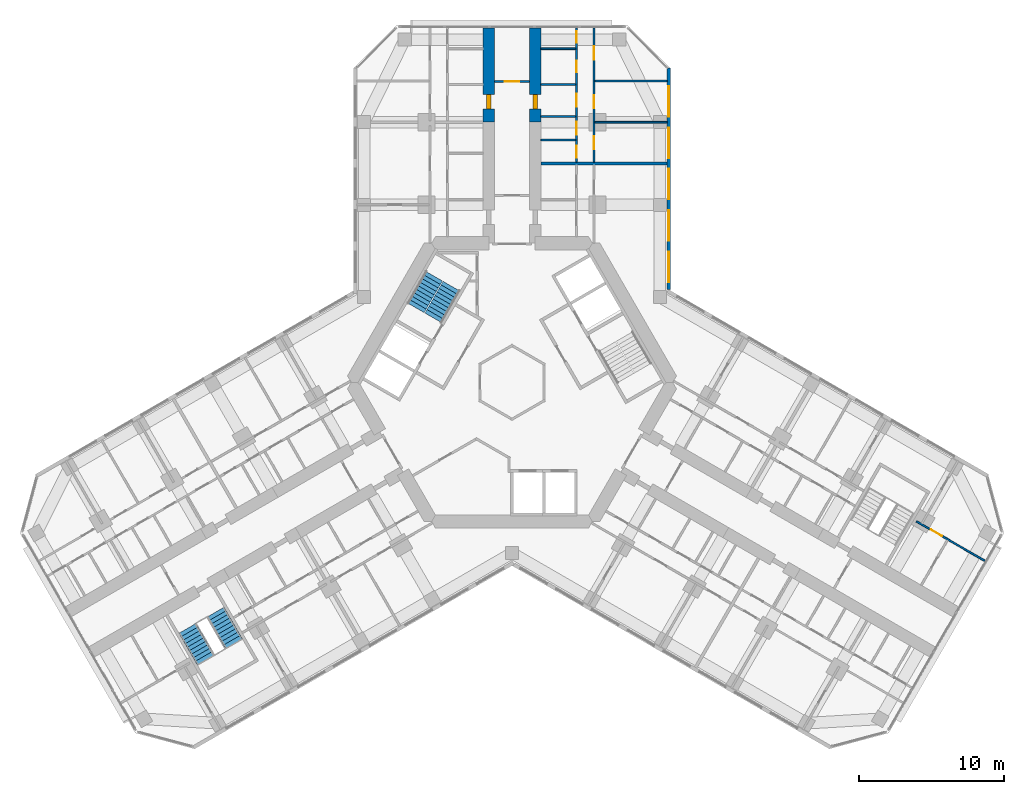
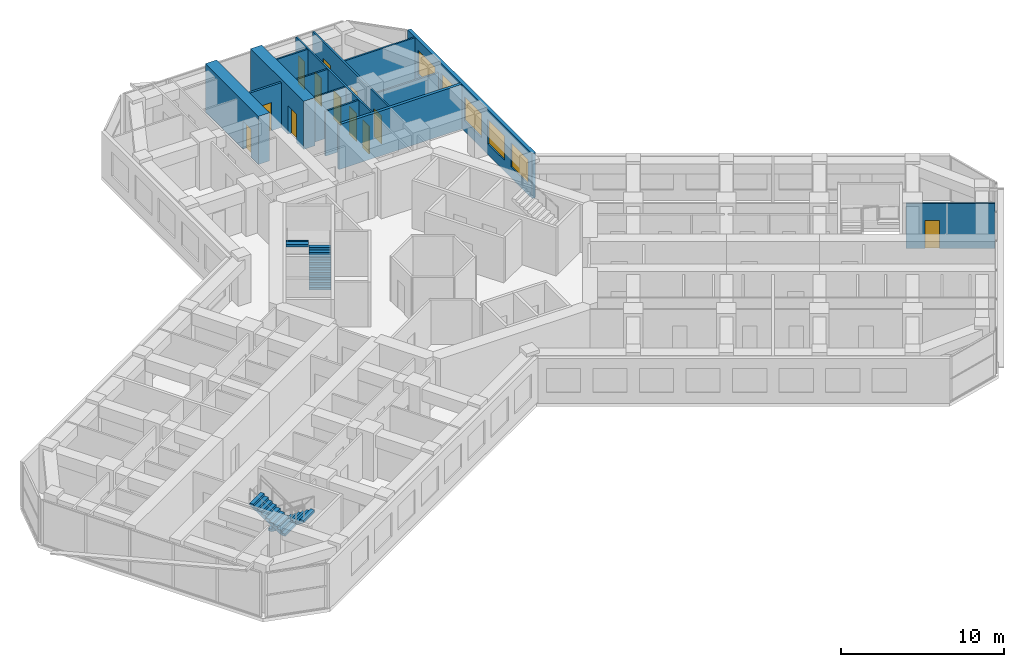
# One storey, part 18 of 20: 14 walls, 12 doors, 5 windows, 4 stair flights, 17 openings, 2 elements without a shape of their own.
"""IFC4 building model written with IfcOpenShell, lengths in metres."""

from ifc_helpers import new_model, si_unit, direction, frame, frame_2d, origin, place, context, subcontext, project, spatial, polyline, rectangle, outline, extrude, material, layer, layer_set, type_object, element, fill, aggregate, save


model = new_model("IFC4")

# Units and contexts
model_context = context("Model", 3, precision=1e-05, world=origin(), true_north=direction((0.0, 1.0)))
body_context = subcontext(model_context, "Body", "Model", "MODEL_VIEW")
ifc_project = project(units=[si_unit("LENGTHUNIT", "METRE"), si_unit("AREAUNIT", "SQUARE_METRE"), si_unit("VOLUMEUNIT", "CUBIC_METRE"), si_unit("PLANEANGLEUNIT", "RADIAN"), si_unit("MASSUNIT", "GRAM", prefix="KILO")], contexts=[model_context])

# Site, building, storey
site_placement = place(None, origin())
site = spatial("IfcSite", under=ifc_project, at=site_placement, CompositionType="ELEMENT")
building_placement = place(site_placement, origin())
building = spatial("IfcBuilding", under=site, at=building_placement, Name="Kosmar Iwan School Tower", CompositionType="ELEMENT")
storey_placement = place(building_placement, frame((0.0, 0.0, 131.0)))
storey = spatial("IfcBuildingStorey", under=building, at=storey_placement, Name="L32", CompositionType="ELEMENT", Elevation=131.0)

# Wall, opening, door
ifc_material_1 = material(Name="Concrete C50/60", Category="concrete")
ifc_layer_1 = layer(ifc_material_1, 0.800048828125)
ifc_layer_set_1 = layer_set([ifc_layer_1], Name="Corridor buttress wall 800")
wall_type_1 = type_object("IfcWallType", Name="Corridor buttress wall 800", PredefinedType="SHEAR", material=ifc_layer_set_1)
wall_1_placement = place(storey_placement, frame((-1.60009765625, 17.949951171875, 0.0), z_axis=(0.0, 0.0, 1.0), x_axis=(0.0, 1.0, 0.0)))
wall_1 = element("IfcWall", 1, at=wall_1_placement, inside=storey, type_object=wall_type_1, Name="Corridor wall AL bay 2", PredefinedType="SHEAR", context=body_context, shape_type="SweptSolid", body=[
    extrude(rectangle(XDim=6.4951171875, YDim=0.800048828125, at=frame_2d((3.24755859375, 0.0))), origin(), (0.0, 0.0, 1.0), 3.60009765625),
])
opening_1_placement = place(wall_1_placement, frame((0.89990234375, 0.0, 0.0)))
opening_1 = element("IfcOpeningElement", 2, at=opening_1_placement, cuts=wall_1, Name="Opening D1", PredefinedType="OPENING", context=body_context, shape_type="SweptSolid", body=[
    extrude(rectangle(XDim=1.0, YDim=2.10009765625, at=frame_2d((0.5, 1.050048828125))), frame((0.0, 0.412109375, 0.0), z_axis=(0.0, -1.0, 0.0), x_axis=(1.0, 0.0, 0.0)), (0.0, 0.0, 1.0), 0.823974609375),
])
ifc_material_2 = material(Name="Timber fire door in steel frame", Category="steel")
door_type_1 = type_object("IfcDoorType", Name="Flat entrance door 1000x2100", OperationType="SINGLE_SWING_LEFT", PredefinedType="DOOR", material=ifc_material_2)
door_1_placement = place(opening_1_placement, origin())
door_1 = element("IfcDoor", 3, at=door_1_placement, inside=storey, type_object=door_type_1, Name="Flat L32-AL2 entrance door", OperationType="SINGLE_SWING_RIGHT", OverallHeight=2.10009765625, OverallWidth=1.0, PredefinedType="DOOR", context=body_context, shape_type="SweptSolid", body=[
    extrude(rectangle(XDim=1.0, YDim=2.10009765625, at=frame_2d((0.5, 1.050048828125))), frame((0.0, 0.14990234375, 0.0), z_axis=(0.0, -1.0, 0.0), x_axis=(1.0, 0.0, 0.0)), (0.0, 0.0, 1.0), 0.300048828125),
])
fill(opening_1, door_1)

wall_2_placement = place(storey_placement, frame((1.60009765625, 17.949951171875, 0.0), z_axis=(0.0, 0.0, 1.0), x_axis=(0.0, 1.0, 0.0)))
wall_2 = element("IfcWall", 4, at=wall_2_placement, inside=storey, type_object=wall_type_1, Name="Corridor wall AR bay 2", PredefinedType="SHEAR", context=body_context, shape_type="SweptSolid", body=[
    extrude(rectangle(XDim=6.4951171875, YDim=0.800048828125, at=frame_2d((3.24755859375, 0.0))), origin(), (0.0, 0.0, 1.0), 3.60009765625),
])
opening_2_placement = place(wall_2_placement, frame((0.89990234375, 0.0, 0.0)))
opening_2 = element("IfcOpeningElement", 5, at=opening_2_placement, cuts=wall_2, Name="Opening D1", PredefinedType="OPENING", context=body_context, shape_type="SweptSolid", body=[
    extrude(rectangle(XDim=1.0, YDim=2.10009765625, at=frame_2d((0.5, 1.050048828125))), frame((0.0, 0.412109375, 0.0), z_axis=(0.0, -1.0, 0.0), x_axis=(1.0, 0.0, 0.0)), (0.0, 0.0, 1.0), 0.823974609375),
])
door_2_placement = place(opening_2_placement, origin())
door_2 = element("IfcDoor", 6, at=door_2_placement, inside=storey, type_object=door_type_1, Name="Flat L32-AR2 entrance door", OperationType="SINGLE_SWING_RIGHT", OverallHeight=2.10009765625, OverallWidth=1.0, PredefinedType="DOOR", context=body_context, shape_type="SweptSolid", body=[
    extrude(rectangle(XDim=1.0, YDim=2.10009765625, at=frame_2d((0.5, 1.050048828125))), frame((0.0, 0.14990234375, 0.0), z_axis=(0.0, -1.0, 0.0), x_axis=(1.0, 0.0, 0.0)), (0.0, 0.0, 1.0), 0.300048828125),
])
fill(opening_2, door_2)

ifc_material_3 = material(Name="Gypsum board on steel studs, fire-rated", Category="steel")
ifc_layer_2 = layer(ifc_material_3, 0.14990234375)
ifc_layer_set_2 = layer_set([ifc_layer_2], Name="Corridor end wall 150")
wall_type_2 = type_object("IfcWallType", Name="Corridor end wall 150", PredefinedType="PARTITIONING", material=ifc_layer_set_2)
wall_3_placement = place(storey_placement, frame((1.199951171875, 20.75, 0.0), z_axis=(0.0, 0.0, 1.0), x_axis=(-1.0, 0.0, 0.0)))
wall_3 = element("IfcWall", 7, at=wall_3_placement, inside=storey, type_object=wall_type_2, Name="Partition L32-A-CE", PredefinedType="PARTITIONING", context=body_context, shape_type="SweptSolid", body=[
    extrude(rectangle(XDim=2.39990234375, YDim=0.14990234375, at=frame_2d((1.199951171875, 0.0))), origin(), (0.0, 0.0, 1.0), 3.35009765625),
])
opening_3_placement = place(wall_3_placement, frame((0.699951171875, 0.0, 0.0)))
opening_3 = element("IfcOpeningElement", 8, at=opening_3_placement, cuts=wall_3, Name="Opening D13", PredefinedType="OPENING", context=body_context, shape_type="SweptSolid", body=[
    extrude(rectangle(XDim=1.0, YDim=2.10009765625, at=frame_2d((0.5, 1.050048828125))), frame((0.0, 0.0869140625, 0.0), z_axis=(0.0, -1.0, 0.0), x_axis=(1.0, 0.0, 0.0)), (0.0, 0.0, 1.0), 0.173828125),
])
ifc_material_4 = material(Name="Timber fire door with vision panel", Category="wood")
door_type_2 = type_object("IfcDoorType", Name="Corridor end door 1000x2100", OperationType="SINGLE_SWING_LEFT", PredefinedType="DOOR", material=ifc_material_4)
door_3_placement = place(opening_3_placement, origin())
door_3 = element("IfcDoor", 9, at=door_3_placement, inside=storey, type_object=door_type_2, Name="Prayer room door L32-A", OperationType="SINGLE_SWING_RIGHT", OverallHeight=2.10009765625, OverallWidth=1.0, PredefinedType="DOOR", context=body_context, shape_type="SweptSolid", body=[
    extrude(rectangle(XDim=1.0, YDim=2.10009765625, at=frame_2d((0.5, 1.050048828125))), frame((0.0, 0.02490234375, 0.0), z_axis=(0.0, -1.0, 0.0), x_axis=(1.0, 0.0, 0.0)), (0.0, 0.0, 1.0), 0.050048828125),
])
fill(opening_3, door_3)

# Wall, openings, doors
ifc_material_5 = material(Name="Gypsum board on steel studs", Category="steel")
ifc_layer_3 = layer(ifc_material_5, 0.1201171875)
ifc_layer_set_3 = layer_set([ifc_layer_3], Name="Dwelling partition 120")
wall_type_3 = type_object("IfcWallType", Name="Dwelling partition 120", PredefinedType="PARTITIONING", material=ifc_layer_set_3)
wall_4_placement = place(storey_placement, frame((4.449951171875, 15.199951171875, 0.0), z_axis=(0.0, 0.0, 1.0), x_axis=(0.0, 1.0, 0.0)))
wall_4 = element("IfcWall", 10, at=wall_4_placement, inside=storey, type_object=wall_type_3, Name="Partition L32-AR2-W1", PredefinedType="PARTITIONING", context=body_context, shape_type="SweptSolid", body=[
    extrude(rectangle(XDim=9.2451171875, YDim=0.1201171875, at=frame_2d((4.62255859375, 0.0))), origin(), (0.0, 0.0, 1.0), 3.35009765625),
])
opening_4_placement = place(wall_4_placement, frame((0.3125, 0.0, 0.0)))
opening_4 = element("IfcOpeningElement", 11, at=opening_4_placement, cuts=wall_4, Name="Opening D3", PredefinedType="OPENING", context=body_context, shape_type="SweptSolid", body=[
    extrude(rectangle(XDim=0.800048828125, YDim=2.10009765625, at=frame_2d((0.39990234375, 1.050048828125))), frame((0.0, 0.072021484375, 0.0), z_axis=(0.0, -1.0, 0.0), x_axis=(1.0, 0.0, 0.0)), (0.0, 0.0, 1.0), 0.14404296875),
])
opening_5_placement = place(wall_4_placement, frame((1.887451171875, 0.0, 0.0)))
opening_5 = element("IfcOpeningElement", 12, at=opening_5_placement, cuts=wall_4, Name="Opening D2", PredefinedType="OPENING", context=body_context, shape_type="SweptSolid", body=[
    extrude(rectangle(XDim=0.89990234375, YDim=2.10009765625, at=frame_2d((0.449951171875, 1.050048828125))), frame((0.0, 0.072021484375, 0.0), z_axis=(0.0, -1.0, 0.0), x_axis=(1.0, 0.0, 0.0)), (0.0, 0.0, 1.0), 0.14404296875),
])
opening_6_placement = place(wall_4_placement, frame((3.800048828125, 0.0, 0.0)))
opening_6 = element("IfcOpeningElement", 13, at=opening_6_placement, cuts=wall_4, Name="Opening D2", PredefinedType="OPENING", context=body_context, shape_type="SweptSolid", body=[
    extrude(rectangle(XDim=0.89990234375, YDim=2.10009765625, at=frame_2d((0.449951171875, 1.050048828125))), frame((0.0, 0.072021484375, 0.0), z_axis=(0.0, -1.0, 0.0), x_axis=(1.0, 0.0, 0.0)), (0.0, 0.0, 1.0), 0.14404296875),
])
opening_7_placement = place(wall_4_placement, frame((6.179931640625, 0.0, 0.0)))
opening_7 = element("IfcOpeningElement", 14, at=opening_7_placement, cuts=wall_4, Name="Opening D3", PredefinedType="OPENING", context=body_context, shape_type="SweptSolid", body=[
    extrude(rectangle(XDim=0.800048828125, YDim=2.10009765625, at=frame_2d((0.39990234375, 1.050048828125))), frame((0.0, 0.072021484375, 0.0), z_axis=(0.0, -1.0, 0.0), x_axis=(1.0, 0.0, 0.0)), (0.0, 0.0, 1.0), 0.14404296875),
])
opening_8_placement = place(wall_4_placement, frame((8.22998046875, 0.0, 0.0)))
opening_8 = element("IfcOpeningElement", 15, at=opening_8_placement, cuts=wall_4, Name="Opening D3", PredefinedType="OPENING", context=body_context, shape_type="SweptSolid", body=[
    extrude(rectangle(XDim=0.800048828125, YDim=2.10009765625, at=frame_2d((0.39990234375, 1.050048828125))), frame((0.0, 0.072021484375, 0.0), z_axis=(0.0, -1.0, 0.0), x_axis=(1.0, 0.0, 0.0)), (0.0, 0.0, 1.0), 0.14404296875),
])
ifc_material_6 = material(Name="Timber door in timber frame", Category="wood")
door_type_3 = type_object("IfcDoorType", Name="Internal door 900x2100", OperationType="SINGLE_SWING_LEFT", PredefinedType="DOOR", material=ifc_material_6)
door_4_placement = place(opening_5_placement, origin())
door_4 = element("IfcDoor", 16, at=door_4_placement, inside=storey, type_object=door_type_3, Name="Pantry door L32-AR2-S2", OperationType="SINGLE_SWING_RIGHT", OverallHeight=2.10009765625, OverallWidth=0.89990234375, PredefinedType="DOOR", context=body_context, shape_type="SweptSolid", body=[
    extrude(rectangle(XDim=0.89990234375, YDim=2.10009765625, at=frame_2d((0.449951171875, 1.050048828125))), frame((0.0, 0.02490234375, 0.0), z_axis=(0.0, -1.0, 0.0), x_axis=(1.0, 0.0, 0.0)), (0.0, 0.0, 1.0), 0.050048828125),
])
fill(opening_5, door_4)
door_5_placement = place(opening_6_placement, origin())
door_5 = element("IfcDoor", 17, at=door_5_placement, inside=storey, type_object=door_type_3, Name="Entrance hall door L32-AR2-S3", OperationType="SINGLE_SWING_LEFT", OverallHeight=2.10009765625, OverallWidth=0.89990234375, PredefinedType="DOOR", context=body_context, shape_type="SweptSolid", body=[
    extrude(rectangle(XDim=0.89990234375, YDim=2.10009765625, at=frame_2d((0.449951171875, 1.050048828125))), frame((0.0, 0.02490234375, 0.0), z_axis=(0.0, -1.0, 0.0), x_axis=(1.0, 0.0, 0.0)), (0.0, 0.0, 1.0), 0.050048828125),
])
fill(opening_6, door_5)
ifc_material_7 = material(Name="Timber door in timber frame", Category="wood")
door_type_4 = type_object("IfcDoorType", Name="Sanitary room door 800x2100", OperationType="SINGLE_SWING_LEFT", PredefinedType="DOOR", material=ifc_material_7)
door_6_placement = place(opening_4_placement, origin())
door_6 = element("IfcDoor", 18, at=door_6_placement, inside=storey, type_object=door_type_4, Name="Store door L32-AR2-S1", OperationType="SINGLE_SWING_LEFT", OverallHeight=2.10009765625, OverallWidth=0.800048828125, PredefinedType="DOOR", context=body_context, shape_type="SweptSolid", body=[
    extrude(rectangle(XDim=0.800048828125, YDim=2.10009765625, at=frame_2d((0.39990234375, 1.050048828125))), frame((0.0, 0.02490234375, 0.0), z_axis=(0.0, -1.0, 0.0), x_axis=(1.0, 0.0, 0.0)), (0.0, 0.0, 1.0), 0.050048828125),
])
fill(opening_4, door_6)
door_7_placement = place(opening_7_placement, origin())
door_7 = element("IfcDoor", 19, at=door_7_placement, inside=storey, type_object=door_type_4, Name="Bathroom door L32-AR2-S4", OperationType="SINGLE_SWING_RIGHT", OverallHeight=2.10009765625, OverallWidth=0.800048828125, PredefinedType="DOOR", context=body_context, shape_type="SweptSolid", body=[
    extrude(rectangle(XDim=0.800048828125, YDim=2.10009765625, at=frame_2d((0.39990234375, 1.050048828125))), frame((0.0, 0.02490234375, 0.0), z_axis=(0.0, -1.0, 0.0), x_axis=(1.0, 0.0, 0.0)), (0.0, 0.0, 1.0), 0.050048828125),
])
fill(opening_7, door_7)
door_8_placement = place(opening_8_placement, origin())
door_8 = element("IfcDoor", 20, at=door_8_placement, inside=storey, type_object=door_type_4, Name="WC door L32-AR2-S5", OperationType="SINGLE_SWING_RIGHT", OverallHeight=2.10009765625, OverallWidth=0.800048828125, PredefinedType="DOOR", context=body_context, shape_type="SweptSolid", body=[
    extrude(rectangle(XDim=0.800048828125, YDim=2.10009765625, at=frame_2d((0.39990234375, 1.050048828125))), frame((0.0, 0.02490234375, 0.0), z_axis=(0.0, -1.0, 0.0), x_axis=(1.0, 0.0, 0.0)), (0.0, 0.0, 1.0), 0.050048828125),
])
fill(opening_8, door_8)

wall_5_placement = place(storey_placement, frame((5.64990234375, 15.199951171875, 0.0), z_axis=(0.0, 0.0, 1.0), x_axis=(0.0, 1.0, 0.0)))
wall_5 = element("IfcWall", 21, at=wall_5_placement, inside=storey, type_object=wall_type_3, Name="Partition L32-AR2-W2", PredefinedType="PARTITIONING", context=body_context, shape_type="SweptSolid", body=[
    extrude(rectangle(XDim=9.2451171875, YDim=0.1201171875, at=frame_2d((4.62255859375, 0.0))), origin(), (0.0, 0.0, 1.0), 3.35009765625),
])
opening_9_placement = place(wall_5_placement, frame((0.875, 0.0, 0.0)))
opening_9 = element("IfcOpeningElement", 22, at=opening_9_placement, cuts=wall_5, Name="Opening D2", PredefinedType="OPENING", context=body_context, shape_type="SweptSolid", body=[
    extrude(rectangle(XDim=0.89990234375, YDim=2.10009765625, at=frame_2d((0.449951171875, 1.050048828125))), frame((0.0, 0.072021484375, 0.0), z_axis=(0.0, -1.0, 0.0), x_axis=(1.0, 0.0, 0.0)), (0.0, 0.0, 1.0), 0.14404296875),
])
opening_10_placement = place(wall_5_placement, frame((3.72509765625, 0.0, 0.0)))
opening_10 = element("IfcOpeningElement", 23, at=opening_10_placement, cuts=wall_5, Name="Opening D2", PredefinedType="OPENING", context=body_context, shape_type="SweptSolid", body=[
    extrude(rectangle(XDim=0.89990234375, YDim=2.10009765625, at=frame_2d((0.449951171875, 1.050048828125))), frame((0.0, 0.072021484375, 0.0), z_axis=(0.0, -1.0, 0.0), x_axis=(1.0, 0.0, 0.0)), (0.0, 0.0, 1.0), 0.14404296875),
])
opening_11_placement = place(wall_5_placement, frame((7.074951171875, 0.0, 0.0)))
opening_11 = element("IfcOpeningElement", 24, at=opening_11_placement, cuts=wall_5, Name="Opening D2", PredefinedType="OPENING", context=body_context, shape_type="SweptSolid", body=[
    extrude(rectangle(XDim=0.89990234375, YDim=2.10009765625, at=frame_2d((0.449951171875, 1.050048828125))), frame((0.0, 0.072021484375, 0.0), z_axis=(0.0, -1.0, 0.0), x_axis=(1.0, 0.0, 0.0)), (0.0, 0.0, 1.0), 0.14404296875),
])
door_9_placement = place(opening_9_placement, origin())
door_9 = element("IfcDoor", 25, at=door_9_placement, inside=storey, type_object=door_type_3, Name="Family room and kitchen door L32-AR2-F1", OperationType="SINGLE_SWING_LEFT", OverallHeight=2.10009765625, OverallWidth=0.89990234375, PredefinedType="DOOR", context=body_context, shape_type="SweptSolid", body=[
    extrude(rectangle(XDim=0.89990234375, YDim=2.10009765625, at=frame_2d((0.449951171875, 1.050048828125))), frame((0.0, 0.02490234375, 0.0), z_axis=(0.0, -1.0, 0.0), x_axis=(1.0, 0.0, 0.0)), (0.0, 0.0, 1.0), 0.050048828125),
])
fill(opening_9, door_9)
door_10_placement = place(opening_10_placement, origin())
door_10 = element("IfcDoor", 26, at=door_10_placement, inside=storey, type_object=door_type_3, Name="Guest reception room door L32-AR2-F2", OperationType="SINGLE_SWING_LEFT", OverallHeight=2.10009765625, OverallWidth=0.89990234375, PredefinedType="DOOR", context=body_context, shape_type="SweptSolid", body=[
    extrude(rectangle(XDim=0.89990234375, YDim=2.10009765625, at=frame_2d((0.449951171875, 1.050048828125))), frame((0.0, 0.02490234375, 0.0), z_axis=(0.0, -1.0, 0.0), x_axis=(1.0, 0.0, 0.0)), (0.0, 0.0, 1.0), 0.050048828125),
])
fill(opening_10, door_10)
door_11_placement = place(opening_11_placement, origin())
door_11 = element("IfcDoor", 27, at=door_11_placement, inside=storey, type_object=door_type_3, Name="Bedroom 1 door L32-AR2-F3", OperationType="SINGLE_SWING_RIGHT", OverallHeight=2.10009765625, OverallWidth=0.89990234375, PredefinedType="DOOR", context=body_context, shape_type="SweptSolid", body=[
    extrude(rectangle(XDim=0.89990234375, YDim=2.10009765625, at=frame_2d((0.449951171875, 1.050048828125))), frame((0.0, 0.02490234375, 0.0), z_axis=(0.0, -1.0, 0.0), x_axis=(1.0, 0.0, 0.0)), (0.0, 0.0, 1.0), 0.050048828125),
])
fill(opening_11, door_11)

# Walls
wall_6_placement = place(storey_placement, frame((5.7099609375, 17.949951171875, 0.0), z_axis=(0.0, 0.0, 1.0), x_axis=(1.0, 0.0, 0.0)))
element("IfcWall", 28, at=wall_6_placement, inside=storey, type_object=wall_type_3, Name="Partition L32-AR2-X1", PredefinedType="PARTITIONING", context=body_context, shape_type="SweptSolid", body=[
    extrude(rectangle(XDim=4.989990234375, YDim=0.1201171875, at=frame_2d((2.4951171875, 0.0))), origin(), (0.0, 0.0, 1.0), 2.449951171875),
])
wall_7_placement = place(storey_placement, frame((5.7099609375, 20.800048828125, 0.0), z_axis=(0.0, 0.0, 1.0), x_axis=(1.0, 0.0, 0.0)))
element("IfcWall", 29, at=wall_7_placement, inside=storey, type_object=wall_type_3, Name="Partition L32-AR2-X2", PredefinedType="PARTITIONING", context=body_context, shape_type="SweptSolid", body=[
    extrude(rectangle(XDim=4.989990234375, YDim=0.1201171875, at=frame_2d((2.4951171875, 0.0))), origin(), (0.0, 0.0, 1.0), 3.35009765625),
])
for number, where, z_axis, x_axis, name in (
    (30, (2.0, 16.72509765625, 0.0), (0.0, 0.0, 1.0), (1.0, 0.0, 0.0), "Partition L32-AR2-Y1"),
    (31, (2.0, 18.35009765625, 0.0), (0.0, 0.0, 1.0), (1.0, 0.0, 0.0), "Partition L32-AR2-Y2"),
    (32, (2.0, 20.550048828125, 0.0), (0.0, 0.0, 1.0), (1.0, 0.0, 0.0), "Partition L32-AR2-Y3"),
    (33, (2.0, 23.010009765625, 0.0), (0.0, 0.0, 1.0), (1.0, 0.0, 0.0), "Partition L32-AR2-Y4"),
):
    element("IfcWall", number, at=place(storey_placement, frame(where, z_axis=z_axis, x_axis=x_axis)), inside=storey, type_object=wall_type_3, Name=name, PredefinedType="PARTITIONING", context=body_context, shape_type="SweptSolid", body=[
        extrude(rectangle(XDim=2.389892578125, YDim=0.1201171875, at=frame_2d((1.19482421875, 0.0))), origin(), (0.0, 0.0, 1.0), 3.35009765625),
    ])

# Wall, opening, door
wall_8_placement = place(storey_placement, frame((27.896484375, -9.58203125, 0.0), z_axis=(0.0, 0.0, 1.0), x_axis=(0.866035508231, -0.499982498177, 0.0)))
wall_8 = element("IfcWall", 34, at=wall_8_placement, inside=storey, type_object=wall_type_3, Name="Partition L32-CL2-TW", PredefinedType="PARTITIONING", context=body_context, shape_type="SweptSolid", body=[
    extrude(rectangle(XDim=5.445068359375, YDim=0.1201171875, at=frame_2d((2.72265625, 0.0))), origin(), (0.0, 0.0, 1.0), 3.35009765625),
])
opening_12_placement = place(wall_8_placement, frame((1.14990234375, 0.0, 0.0)))
opening_12 = element("IfcOpeningElement", 35, at=opening_12_placement, cuts=wall_8, Name="Opening D2", PredefinedType="OPENING", context=body_context, shape_type="SweptSolid", body=[
    extrude(rectangle(XDim=0.89990234375, YDim=2.10009765625, at=frame_2d((0.449951171875, 1.050048828125))), frame((0.0, 0.072021484375, 0.0), z_axis=(0.0, -1.0, 0.0), x_axis=(1.0, 0.0, 0.0)), (0.0, 0.0, 1.0), 0.14404296875),
])
door_12_placement = place(opening_12_placement, origin())
door_12 = element("IfcDoor", 36, at=door_12_placement, inside=storey, type_object=door_type_3, Name="Dressing room door L32-CL2-T3", OperationType="SINGLE_SWING_LEFT", OverallHeight=2.10009765625, OverallWidth=0.89990234375, PredefinedType="DOOR", context=body_context, shape_type="SweptSolid", body=[
    extrude(rectangle(XDim=0.89990234375, YDim=2.10009765625, at=frame_2d((0.449951171875, 1.050048828125))), frame((0.0, 0.02490234375, 0.0), z_axis=(0.0, -1.0, 0.0), x_axis=(1.0, 0.0, 0.0)), (0.0, 0.0, 1.0), 0.050048828125),
])
fill(opening_12, door_12)

# Wall, openings, windows
ifc_material_8 = material(Name="Black aluminium rainscreen on insulated framing", Category="aluminium")
ifc_layer_4 = layer(ifc_material_8, 0.25)
ifc_layer_set_4 = layer_set([ifc_layer_4], Name="External wall rainscreen 250")
wall_type_4 = type_object("IfcWallType", Name="External wall rainscreen 250", PredefinedType="SOLIDWALL", material=ifc_layer_set_4)
wall_9_placement = place(storey_placement, frame((10.824951171875, 6.408935546875, 0.0), z_axis=(0.0, 0.0, 1.0), x_axis=(0.0, 1.0, 0.0)))
wall_9 = element("IfcWall", 37, at=wall_9_placement, inside=storey, type_object=wall_type_4, Name="External wall AR L32", PredefinedType="SOLIDWALL", context=body_context, shape_type="SweptSolid", body=[
    extrude(rectangle(XDim=15.2763671875, YDim=0.25, at=frame_2d((7.63818359375, 0.0))), origin(), (0.0, 0.0, 1.0), 3.35009765625),
])
opening_13_placement = place(wall_9_placement, frame((0.51611328125, 0.0, 0.800048828125)))
opening_13 = element("IfcOpeningElement", 38, at=opening_13_placement, cuts=wall_9, Name="Opening W4", PredefinedType="OPENING", context=body_context, shape_type="SweptSolid", body=[
    extrude(rectangle(XDim=2.10009765625, YDim=1.800048828125, at=frame_2d((1.050048828125, 0.89990234375))), frame((0.0, 0.136962890625, 0.0), z_axis=(0.0, -1.0, 0.0), x_axis=(1.0, 0.0, 0.0)), (0.0, 0.0, 1.0), 0.27392578125),
])
opening_14_placement = place(wall_9_placement, frame((3.365966796875, 0.0, 0.800048828125)))
opening_14 = element("IfcOpeningElement", 39, at=opening_14_placement, cuts=wall_9, Name="Opening W4", PredefinedType="OPENING", context=body_context, shape_type="SweptSolid", body=[
    extrude(rectangle(XDim=2.10009765625, YDim=1.800048828125, at=frame_2d((1.050048828125, 0.89990234375))), frame((0.0, 0.136962890625, 0.0), z_axis=(0.0, -1.0, 0.0), x_axis=(1.0, 0.0, 0.0)), (0.0, 0.0, 1.0), 0.27392578125),
])
opening_15_placement = place(wall_9_placement, frame((6.216064453125, 0.0, 0.800048828125)))
opening_15 = element("IfcOpeningElement", 40, at=opening_15_placement, cuts=wall_9, Name="Opening W4", PredefinedType="OPENING", context=body_context, shape_type="SweptSolid", body=[
    extrude(rectangle(XDim=2.10009765625, YDim=1.800048828125, at=frame_2d((1.050048828125, 0.89990234375))), frame((0.0, 0.136962890625, 0.0), z_axis=(0.0, -1.0, 0.0), x_axis=(1.0, 0.0, 0.0)), (0.0, 0.0, 1.0), 0.27392578125),
])
opening_16_placement = place(wall_9_placement, frame((9.06591796875, 0.0, 0.800048828125)))
opening_16 = element("IfcOpeningElement", 41, at=opening_16_placement, cuts=wall_9, Name="Opening W4", PredefinedType="OPENING", context=body_context, shape_type="SweptSolid", body=[
    extrude(rectangle(XDim=2.10009765625, YDim=1.800048828125, at=frame_2d((1.050048828125, 0.89990234375))), frame((0.0, 0.136962890625, 0.0), z_axis=(0.0, -1.0, 0.0), x_axis=(1.0, 0.0, 0.0)), (0.0, 0.0, 1.0), 0.27392578125),
])
opening_17_placement = place(wall_9_placement, frame((11.916015625, 0.0, 0.800048828125)))
opening_17 = element("IfcOpeningElement", 42, at=opening_17_placement, cuts=wall_9, Name="Opening W4", PredefinedType="OPENING", context=body_context, shape_type="SweptSolid", body=[
    extrude(rectangle(XDim=2.10009765625, YDim=1.800048828125, at=frame_2d((1.050048828125, 0.89990234375))), frame((0.0, 0.136962890625, 0.0), z_axis=(0.0, -1.0, 0.0), x_axis=(1.0, 0.0, 0.0)), (0.0, 0.0, 1.0), 0.27392578125),
])
ifc_material_9 = material(Name="Black aluminium frame with dark triple glazing", Category="aluminium")
window_type = type_object("IfcWindowType", Name="Window 2100x1800", PartitioningType="SINGLE_PANEL", PredefinedType="WINDOW", material=ifc_material_9)
window_1_placement = place(opening_13_placement, origin())
window_1 = element("IfcWindow", 43, at=window_1_placement, inside=storey, type_object=window_type, Name="Window AR L32 -1", OverallHeight=1.800048828125, OverallWidth=2.10009765625, PartitioningType="SINGLE_PANEL", PredefinedType="WINDOW", context=body_context, shape_type="SweptSolid", body=[
    extrude(rectangle(XDim=2.10009765625, YDim=1.800048828125, at=frame_2d((1.050048828125, 0.89990234375))), frame((0.0, 0.030029296875, 0.0), z_axis=(0.0, -1.0, 0.0), x_axis=(1.0, 0.0, 0.0)), (0.0, 0.0, 1.0), 0.06005859375),
])
fill(opening_13, window_1)
window_2_placement = place(opening_14_placement, origin())
window_2 = element("IfcWindow", 44, at=window_2_placement, inside=storey, type_object=window_type, Name="Window AR L32 0", OverallHeight=1.800048828125, OverallWidth=2.10009765625, PartitioningType="SINGLE_PANEL", PredefinedType="WINDOW", context=body_context, shape_type="SweptSolid", body=[
    extrude(rectangle(XDim=2.10009765625, YDim=1.800048828125, at=frame_2d((1.050048828125, 0.89990234375))), frame((0.0, 0.030029296875, 0.0), z_axis=(0.0, -1.0, 0.0), x_axis=(1.0, 0.0, 0.0)), (0.0, 0.0, 1.0), 0.06005859375),
])
fill(opening_14, window_2)
window_3_placement = place(opening_15_placement, origin())
window_3 = element("IfcWindow", 45, at=window_3_placement, inside=storey, type_object=window_type, Name="Window AR L32 1", OverallHeight=1.800048828125, OverallWidth=2.10009765625, PartitioningType="SINGLE_PANEL", PredefinedType="WINDOW", context=body_context, shape_type="SweptSolid", body=[
    extrude(rectangle(XDim=2.10009765625, YDim=1.800048828125, at=frame_2d((1.050048828125, 0.89990234375))), frame((0.0, 0.030029296875, 0.0), z_axis=(0.0, -1.0, 0.0), x_axis=(1.0, 0.0, 0.0)), (0.0, 0.0, 1.0), 0.06005859375),
])
fill(opening_15, window_3)
window_4_placement = place(opening_16_placement, origin())
window_4 = element("IfcWindow", 46, at=window_4_placement, inside=storey, type_object=window_type, Name="Window AR L32 2", OverallHeight=1.800048828125, OverallWidth=2.10009765625, PartitioningType="SINGLE_PANEL", PredefinedType="WINDOW", context=body_context, shape_type="SweptSolid", body=[
    extrude(rectangle(XDim=2.10009765625, YDim=1.800048828125, at=frame_2d((1.050048828125, 0.89990234375))), frame((0.0, 0.030029296875, 0.0), z_axis=(0.0, -1.0, 0.0), x_axis=(1.0, 0.0, 0.0)), (0.0, 0.0, 1.0), 0.06005859375),
])
fill(opening_16, window_4)
window_5_placement = place(opening_17_placement, origin())
window_5 = element("IfcWindow", 47, at=window_5_placement, inside=storey, type_object=window_type, Name="Window AR L32 3", OverallHeight=1.800048828125, OverallWidth=2.10009765625, PartitioningType="SINGLE_PANEL", PredefinedType="WINDOW", context=body_context, shape_type="SweptSolid", body=[
    extrude(rectangle(XDim=2.10009765625, YDim=1.800048828125, at=frame_2d((1.050048828125, 0.89990234375))), frame((0.0, 0.030029296875, 0.0), z_axis=(0.0, -1.0, 0.0), x_axis=(1.0, 0.0, 0.0)), (0.0, 0.0, 1.0), 0.06005859375),
])
fill(opening_17, window_5)

# Wall
ifc_material_10 = material(Name="Concrete block masonry", Category="masonry")
ifc_layer_5 = layer(ifc_material_10, 0.199951171875)
ifc_layer_set_5 = layer_set([ifc_layer_5], Name="Party wall 200")
wall_type_5 = type_object("IfcWallType", Name="Party wall 200", PredefinedType="PARTITIONING", material=ifc_layer_set_5)
wall_10_placement = place(storey_placement, frame((2.0, 15.10009765625, 0.0), z_axis=(0.0, 0.0, 1.0), x_axis=(1.0, 0.0, 0.0)))
element("IfcWall", 48, at=wall_10_placement, inside=storey, type_object=wall_type_5, Name="Partition L32-AR2-PW", PredefinedType="PARTITIONING", context=body_context, shape_type="SweptSolid", body=[
    extrude(rectangle(XDim=8.699951171875, YDim=0.199951171875, at=frame_2d((4.35009765625, 0.0))), origin(), (0.0, 0.0, 1.0), 3.35009765625),
])

# Stair, stair flights
ifc_material_11 = material(Name="Concrete C35/45", Category="concrete")
stair_type_1 = type_object("IfcStairType", Name="Escape stair 3600", PredefinedType="HALF_TURN_STAIR", material=ifc_material_11)
stair_1_placement = place(storey_placement, origin())
stair_1 = element("IfcStair", 49, at=stair_1_placement, inside=storey, type_object=stair_type_1, Name="Stair WS2 L32", PredefinedType="HALF_TURN_STAIR")
ifc_material_12 = material(Name="Concrete C35/45", Category="concrete")
stair_flight_type_1 = type_object("IfcStairFlightType", Name="Escape stair flight 1350", PredefinedType="STRAIGHT", material=ifc_material_12)
stair_flight_1_placement = place(storey_placement, frame((-20.44189453125, -15.843505859375, 0.0), z_axis=(0.0, 0.0, 1.0), x_axis=(0.5, -0.866025403784, 0.0)))
stair_flight_1 = element("IfcStairFlight", 50, at=stair_flight_1_placement, type_object=stair_flight_type_1, Name="WS2 flight 1", NumberOfRisers=10, NumberOfTreads=9, PredefinedType="STRAIGHT", RiserHeight=0.18, TreadLength=0.28, context=body_context, shape_type="SweptSolid", body=[
    extrude(outline(polyline([(0.0, 0.0), (0.0, 0.179931640625), (0.280029296875, 0.179931640625), (0.280029296875, 0.360107421875), (0.56005859375, 0.360107421875), (0.56005859375, 0.5400390625), (0.840087890625, 0.5400390625), (0.840087890625, 0.719970703125), (1.1201171875, 0.719970703125), (1.1201171875, 0.89990234375), (1.39990234375, 0.89990234375), (1.39990234375, 1.080078125), (1.679931640625, 1.080078125), (1.679931640625, 1.260009765625), (1.9599609375, 1.260009765625), (1.9599609375, 1.43994140625), (2.239990234375, 1.43994140625), (2.239990234375, 1.6201171875), (2.52001953125, 1.6201171875), (2.52001953125, 1.800048828125), (2.52001953125, 1.44189453125), (0.277099609375, 0.0), (0.0, 0.0)])), frame((0.0, 0.675048828125, 0.0), z_axis=(0.0, -1.0, 0.0), x_axis=(1.0, 0.0, 0.0)), (0.0, 0.0, 1.0), 1.35009765625),
])
stair_flight_2_placement = place(storey_placement, frame((-21.13037109375, -19.15087890625, 1.800048828125), z_axis=(0.0, 0.0, 1.0), x_axis=(-0.5, 0.866025403784, 0.0)))
stair_flight_2 = element("IfcStairFlight", 51, at=stair_flight_2_placement, type_object=stair_flight_type_1, Name="WS2 flight 2", NumberOfRisers=10, NumberOfTreads=9, PredefinedType="STRAIGHT", RiserHeight=0.18, TreadLength=0.28, context=body_context, shape_type="SweptSolid", body=[
    extrude(outline(polyline([(0.0, 0.0), (0.0, 0.179931640625), (0.280029296875, 0.179931640625), (0.280029296875, 0.360107421875), (0.56005859375, 0.360107421875), (0.56005859375, 0.5400390625), (0.840087890625, 0.5400390625), (0.840087890625, 0.719970703125), (1.1201171875, 0.719970703125), (1.1201171875, 0.89990234375), (1.39990234375, 0.89990234375), (1.39990234375, 1.080078125), (1.679931640625, 1.080078125), (1.679931640625, 1.260009765625), (1.9599609375, 1.260009765625), (1.9599609375, 1.43994140625), (2.239990234375, 1.43994140625), (2.239990234375, 1.6201171875), (2.52001953125, 1.6201171875), (2.52001953125, 1.800048828125), (2.52001953125, 1.44189453125), (0.277099609375, 0.0), (0.0, 0.0)])), frame((0.0, 0.675048828125, 0.0), z_axis=(0.0, -1.0, 0.0), x_axis=(1.0, 0.0, 0.0)), (0.0, 0.0, 1.0), 1.35009765625),
])
aggregate(stair_1, [stair_flight_1, stair_flight_2])

ifc_material_13 = material(Name="Concrete C35/45", Category="concrete")
stair_type_2 = type_object("IfcStairType", Name="Core stair 2750", PredefinedType="HALF_TURN_STAIR", material=ifc_material_13)
stair_2_placement = place(storey_placement, origin())
stair_2 = element("IfcStair", 52, at=stair_2_placement, inside=storey, type_object=stair_type_2, Name="Stair ST2 L32", PredefinedType="HALF_TURN_STAIR")
ifc_material_14 = material(Name="Concrete C35/45", Category="concrete")
stair_flight_type_2 = type_object("IfcStairFlightType", Name="Stair flight 1350", PredefinedType="STRAIGHT", material=ifc_material_14)
stair_flight_3_placement = place(storey_placement, frame((-5.42724609375, 4.44970703125, 0.0), z_axis=(0.0, 0.0, 1.0), x_axis=(0.5, 0.866025403784, 0.0)))
stair_flight_3 = element("IfcStairFlight", 53, at=stair_flight_3_placement, type_object=stair_flight_type_2, Name="ST2 flight 1", NumberOfRisers=10, NumberOfTreads=9, PredefinedType="STRAIGHT", RiserHeight=0.18, TreadLength=0.28, context=body_context, shape_type="SweptSolid", body=[
    extrude(outline(polyline([(0.0, 0.0), (0.0, 0.179931640625), (0.280029296875, 0.179931640625), (0.280029296875, 0.360107421875), (0.56005859375, 0.360107421875), (0.56005859375, 0.5400390625), (0.840087890625, 0.5400390625), (0.840087890625, 0.719970703125), (1.1201171875, 0.719970703125), (1.1201171875, 0.89990234375), (1.39990234375, 0.89990234375), (1.39990234375, 1.080078125), (1.679931640625, 1.080078125), (1.679931640625, 1.260009765625), (1.9599609375, 1.260009765625), (1.9599609375, 1.43994140625), (2.239990234375, 1.43994140625), (2.239990234375, 1.6201171875), (2.52001953125, 1.6201171875), (2.52001953125, 1.800048828125), (2.52001953125, 1.44189453125), (0.277099609375, 0.0), (0.0, 0.0)])), frame((0.0, 0.675048828125, 0.0), z_axis=(0.0, -1.0, 0.0), x_axis=(1.0, 0.0, 0.0)), (0.0, 0.0, 1.0), 1.35009765625),
])
stair_flight_4_placement = place(storey_placement, frame((-5.379638671875, 7.33203125, 1.800048828125), z_axis=(0.0, 0.0, 1.0), x_axis=(-0.5, -0.866025403784, 0.0)))
stair_flight_4 = element("IfcStairFlight", 54, at=stair_flight_4_placement, type_object=stair_flight_type_2, Name="ST2 flight 2", NumberOfRisers=10, NumberOfTreads=9, PredefinedType="STRAIGHT", RiserHeight=0.18, TreadLength=0.28, context=body_context, shape_type="SweptSolid", body=[
    extrude(outline(polyline([(0.0, 0.0), (0.0, 0.179931640625), (0.280029296875, 0.179931640625), (0.280029296875, 0.360107421875), (0.56005859375, 0.360107421875), (0.56005859375, 0.5400390625), (0.840087890625, 0.5400390625), (0.840087890625, 0.719970703125), (1.1201171875, 0.719970703125), (1.1201171875, 0.89990234375), (1.39990234375, 0.89990234375), (1.39990234375, 1.080078125), (1.679931640625, 1.080078125), (1.679931640625, 1.260009765625), (1.9599609375, 1.260009765625), (1.9599609375, 1.43994140625), (2.239990234375, 1.43994140625), (2.239990234375, 1.6201171875), (2.52001953125, 1.6201171875), (2.52001953125, 1.800048828125), (2.52001953125, 1.44189453125), (0.277099609375, 0.0), (0.0, 0.0)])), frame((0.0, 0.675048828125, 0.0), z_axis=(0.0, -1.0, 0.0), x_axis=(1.0, 0.0, 0.0)), (0.0, 0.0, 1.0), 1.35009765625),
])
aggregate(stair_2, [stair_flight_3, stair_flight_4])

save(model, "model.ifc")
